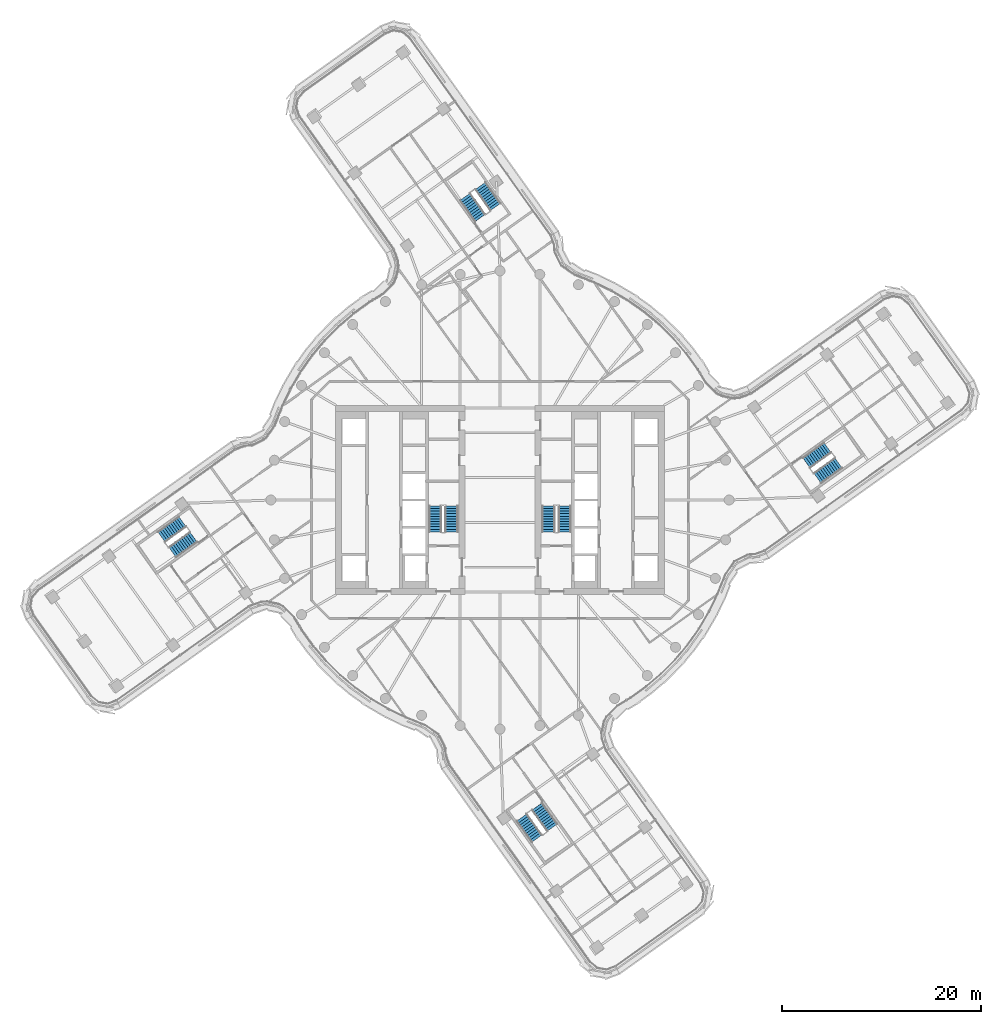
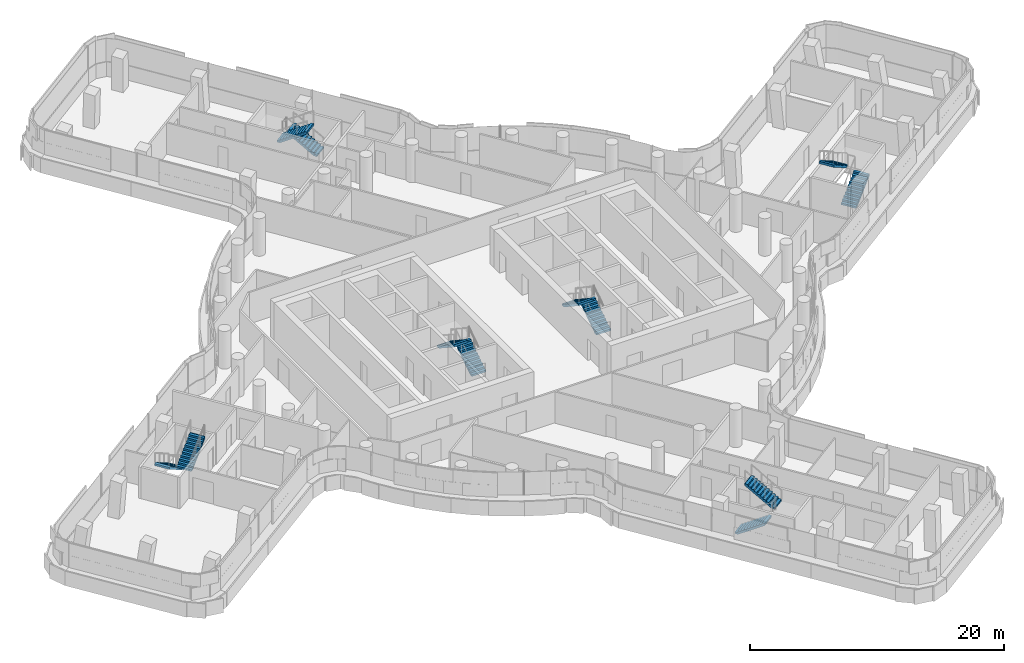
# One storey, part 24 of 31: 12 stair flights, 6 elements without a shape of their own.
"""IFC4 building model written with IfcOpenShell, lengths in metres."""

from ifc_helpers import new_model, si_unit, direction, frame, origin, place, context, subcontext, project, spatial, polyline, outline, extrude, material, type_object, element, aggregate, save


model = new_model("IFC4")

# Units and contexts
model_context = context("Model", 3, precision=1e-05, world=origin(), true_north=direction((0.0, 1.0)))
body_context = subcontext(model_context, "Body", "Model", "MODEL_VIEW")
ifc_project = project(units=[si_unit("LENGTHUNIT", "METRE"), si_unit("AREAUNIT", "SQUARE_METRE"), si_unit("VOLUMEUNIT", "CUBIC_METRE"), si_unit("PLANEANGLEUNIT", "RADIAN"), si_unit("MASSUNIT", "GRAM", prefix="KILO")], contexts=[model_context])

# Site, building, storey
site_placement = place(None, origin())
site = spatial("IfcSite", under=ifc_project, at=site_placement, CompositionType="ELEMENT")
building_placement = place(site_placement, origin())
building = spatial("IfcBuilding", under=site, at=building_placement, Name="Tamarind Cross Interchange Tower", CompositionType="ELEMENT")
storey_placement = place(building_placement, frame((0.0, 0.0, 163.0)))
storey = spatial("IfcBuildingStorey", under=building, at=storey_placement, Name="L40", CompositionType="ELEMENT", Elevation=163.0)

# Stair, stair flights
ifc_material_1 = material(Name="Exit stair")
stair_type = type_object("IfcStairType", Name="Exit stair", PredefinedType="HALF_TURN_STAIR", material=ifc_material_1)
stair_1_placement = place(storey_placement, origin())
stair_1 = element("IfcStair", 1, at=stair_1_placement, inside=storey, type_object=stair_type, Name="L40 exit stair ST1", PredefinedType="HALF_TURN_STAIR")
ifc_material_2 = material(Name="Exit stair flight")
stair_flight_type = type_object("IfcStairFlightType", Name="Exit stair flight", PredefinedType="STRAIGHT", material=ifc_material_2)
stair_flight_1_placement = place(storey_placement, frame((-4.85009765625, -3.199951171875, 0.0), z_axis=(0.0, 0.0, 1.0), x_axis=(0.0, 1.0, 0.0)))
stair_flight_1 = element("IfcStairFlight", 2, at=stair_flight_1_placement, type_object=stair_flight_type, Name="ST1 flight 1", NumberOfRisers=11, NumberOfTreads=10, PredefinedType="STRAIGHT", RiserHeight=0.170454545, TreadLength=0.26, context=body_context, shape_type="SweptSolid", body=[
    extrude(outline(polyline([(0.0, 0.0), (0.0, 0.17041015625), (0.260009765625, 0.17041015625), (0.260009765625, 0.3408203125), (0.52001953125, 0.3408203125), (0.52001953125, 0.511474609375), (0.780029296875, 0.511474609375), (0.780029296875, 0.681884765625), (1.0400390625, 0.681884765625), (1.0400390625, 0.852294921875), (1.300048828125, 0.852294921875), (1.300048828125, 1.022705078125), (1.56005859375, 1.022705078125), (1.56005859375, 1.193115234375), (1.820068359375, 1.193115234375), (1.820068359375, 1.363525390625), (2.080078125, 1.363525390625), (2.080078125, 1.5341796875), (2.340087890625, 1.5341796875), (2.340087890625, 1.70458984375), (2.60009765625, 1.70458984375), (2.60009765625, 1.875), (2.60009765625, 1.525390625), (0.2734375, 0.0), (0.0, 0.0)])), frame((0.0, 0.64990234375, 0.0), z_axis=(0.0, -1.0, 0.0), x_axis=(1.0, 0.0, 0.0)), (0.0, 0.0, 1.0), 1.300048828125),
])
stair_flight_2_placement = place(storey_placement, frame((-6.5, -0.60009765625, 1.875), z_axis=(0.0, 0.0, 1.0), x_axis=(0.0, -1.0, 0.0)))
stair_flight_2 = element("IfcStairFlight", 3, at=stair_flight_2_placement, type_object=stair_flight_type, Name="ST1 flight 2", NumberOfRisers=11, NumberOfTreads=10, PredefinedType="STRAIGHT", RiserHeight=0.170454545, TreadLength=0.26, context=body_context, shape_type="SweptSolid", body=[
    extrude(outline(polyline([(0.0, 0.0), (0.0, 0.17041015625), (0.260009765625, 0.17041015625), (0.260009765625, 0.3408203125), (0.52001953125, 0.3408203125), (0.52001953125, 0.511474609375), (0.780029296875, 0.511474609375), (0.780029296875, 0.681884765625), (1.0400390625, 0.681884765625), (1.0400390625, 0.852294921875), (1.300048828125, 0.852294921875), (1.300048828125, 1.022705078125), (1.56005859375, 1.022705078125), (1.56005859375, 1.193115234375), (1.820068359375, 1.193115234375), (1.820068359375, 1.363525390625), (2.080078125, 1.363525390625), (2.080078125, 1.5341796875), (2.340087890625, 1.5341796875), (2.340087890625, 1.70458984375), (2.60009765625, 1.70458984375), (2.60009765625, 1.7548828125), (2.612060546875, 1.7548828125), (2.612060546875, 1.533203125), (0.2734375, 0.0), (0.0, 0.0)])), frame((0.0, 0.64990234375, 0.0), z_axis=(0.0, -1.0, 0.0), x_axis=(1.0, 0.0, 0.0)), (0.0, 0.0, 1.0), 1.300048828125),
])
aggregate(stair_1, [stair_flight_1, stair_flight_2])

stair_2_placement = place(storey_placement, origin())
stair_2 = element("IfcStair", 4, at=stair_2_placement, inside=storey, type_object=stair_type, Name="L40 exit stair ST2", PredefinedType="HALF_TURN_STAIR")
stair_flight_3_placement = place(storey_placement, frame((6.5, -3.199951171875, 0.0), z_axis=(0.0, 0.0, 1.0), x_axis=(0.0, 1.0, 0.0)))
stair_flight_3 = element("IfcStairFlight", 5, at=stair_flight_3_placement, type_object=stair_flight_type, Name="ST2 flight 1", NumberOfRisers=11, NumberOfTreads=10, PredefinedType="STRAIGHT", RiserHeight=0.170454545, TreadLength=0.26, context=body_context, shape_type="SweptSolid", body=[
    extrude(outline(polyline([(0.0, 0.0), (0.0, 0.17041015625), (0.260009765625, 0.17041015625), (0.260009765625, 0.3408203125), (0.52001953125, 0.3408203125), (0.52001953125, 0.511474609375), (0.780029296875, 0.511474609375), (0.780029296875, 0.681884765625), (1.0400390625, 0.681884765625), (1.0400390625, 0.852294921875), (1.300048828125, 0.852294921875), (1.300048828125, 1.022705078125), (1.56005859375, 1.022705078125), (1.56005859375, 1.193115234375), (1.820068359375, 1.193115234375), (1.820068359375, 1.363525390625), (2.080078125, 1.363525390625), (2.080078125, 1.5341796875), (2.340087890625, 1.5341796875), (2.340087890625, 1.70458984375), (2.60009765625, 1.70458984375), (2.60009765625, 1.875), (2.60009765625, 1.525390625), (0.2734375, 0.0), (0.0, 0.0)])), frame((0.0, 0.64990234375, 0.0), z_axis=(0.0, -1.0, 0.0), x_axis=(1.0, 0.0, 0.0)), (0.0, 0.0, 1.0), 1.300048828125),
])
stair_flight_4_placement = place(storey_placement, frame((4.85009765625, -0.60009765625, 1.875), z_axis=(0.0, 0.0, 1.0), x_axis=(0.0, -1.0, 0.0)))
stair_flight_4 = element("IfcStairFlight", 6, at=stair_flight_4_placement, type_object=stair_flight_type, Name="ST2 flight 2", NumberOfRisers=11, NumberOfTreads=10, PredefinedType="STRAIGHT", RiserHeight=0.170454545, TreadLength=0.26, context=body_context, shape_type="SweptSolid", body=[
    extrude(outline(polyline([(0.0, 0.0), (0.0, 0.17041015625), (0.260009765625, 0.17041015625), (0.260009765625, 0.3408203125), (0.52001953125, 0.3408203125), (0.52001953125, 0.511474609375), (0.780029296875, 0.511474609375), (0.780029296875, 0.681884765625), (1.0400390625, 0.681884765625), (1.0400390625, 0.852294921875), (1.300048828125, 0.852294921875), (1.300048828125, 1.022705078125), (1.56005859375, 1.022705078125), (1.56005859375, 1.193115234375), (1.820068359375, 1.193115234375), (1.820068359375, 1.363525390625), (2.080078125, 1.363525390625), (2.080078125, 1.5341796875), (2.340087890625, 1.5341796875), (2.340087890625, 1.70458984375), (2.60009765625, 1.70458984375), (2.60009765625, 1.7548828125), (2.612060546875, 1.7548828125), (2.612060546875, 1.533203125), (0.2734375, 0.0), (0.0, 0.0)])), frame((0.0, 0.64990234375, 0.0), z_axis=(0.0, -1.0, 0.0), x_axis=(1.0, 0.0, 0.0)), (0.0, 0.0, 1.0), 1.300048828125),
])
aggregate(stair_2, [stair_flight_3, stair_flight_4])

stair_3_placement = place(storey_placement, origin())
stair_3 = element("IfcStair", 7, at=stair_3_placement, inside=storey, type_object=stair_type, Name="L40 exit stair ST3", PredefinedType="HALF_TURN_STAIR")
stair_flight_5_placement = place(storey_placement, frame((31.8642578125, 2.188720703125, 0.0), z_axis=(0.0, 0.0, 1.0), x_axis=(0.81388031548, 0.581032556811, 0.0)))
stair_flight_5 = element("IfcStairFlight", 8, at=stair_flight_5_placement, type_object=stair_flight_type, Name="ST3 flight 1", NumberOfRisers=11, NumberOfTreads=10, PredefinedType="STRAIGHT", RiserHeight=0.170454545, TreadLength=0.26, context=body_context, shape_type="SweptSolid", body=[
    extrude(outline(polyline([(0.0, 0.0), (0.0, 0.17041015625), (0.260009765625, 0.17041015625), (0.260009765625, 0.3408203125), (0.52001953125, 0.3408203125), (0.52001953125, 0.511474609375), (0.780029296875, 0.511474609375), (0.780029296875, 0.681884765625), (1.0400390625, 0.681884765625), (1.0400390625, 0.852294921875), (1.300048828125, 0.852294921875), (1.300048828125, 1.022705078125), (1.56005859375, 1.022705078125), (1.56005859375, 1.193115234375), (1.820068359375, 1.193115234375), (1.820068359375, 1.363525390625), (2.080078125, 1.363525390625), (2.080078125, 1.5341796875), (2.340087890625, 1.5341796875), (2.340087890625, 1.70458984375), (2.60009765625, 1.70458984375), (2.60009765625, 1.875), (2.60009765625, 1.525390625), (0.2734375, 0.0), (0.0, 0.0)])), frame((0.0, 0.64990234375, 0.0), z_axis=(0.0, -1.0, 0.0), x_axis=(1.0, 0.0, 0.0)), (0.0, 0.0, 1.0), 1.300048828125),
])
stair_flight_6_placement = place(storey_placement, frame((32.876220703125, 5.245849609375, 1.875), z_axis=(0.0, 0.0, 1.0), x_axis=(-0.81388031548, -0.581032556811, 0.0)))
stair_flight_6 = element("IfcStairFlight", 9, at=stair_flight_6_placement, type_object=stair_flight_type, Name="ST3 flight 2", NumberOfRisers=11, NumberOfTreads=10, PredefinedType="STRAIGHT", RiserHeight=0.170454545, TreadLength=0.26, context=body_context, shape_type="SweptSolid", body=[
    extrude(outline(polyline([(0.0, 0.0), (0.0, 0.17041015625), (0.260009765625, 0.17041015625), (0.260009765625, 0.3408203125), (0.52001953125, 0.3408203125), (0.52001953125, 0.511474609375), (0.780029296875, 0.511474609375), (0.780029296875, 0.681884765625), (1.0400390625, 0.681884765625), (1.0400390625, 0.852294921875), (1.300048828125, 0.852294921875), (1.300048828125, 1.022705078125), (1.56005859375, 1.022705078125), (1.56005859375, 1.193115234375), (1.820068359375, 1.193115234375), (1.820068359375, 1.363525390625), (2.080078125, 1.363525390625), (2.080078125, 1.5341796875), (2.340087890625, 1.5341796875), (2.340087890625, 1.70458984375), (2.60009765625, 1.70458984375), (2.60009765625, 1.7548828125), (2.612060546875, 1.7548828125), (2.612060546875, 1.533203125), (0.2734375, 0.0), (0.0, 0.0)])), frame((0.0, 0.64990234375, 0.0), z_axis=(0.0, -1.0, 0.0), x_axis=(1.0, 0.0, 0.0)), (0.0, 0.0, 1.0), 1.300048828125),
])
aggregate(stair_3, [stair_flight_5, stair_flight_6])

stair_4_placement = place(storey_placement, origin())
stair_4 = element("IfcStair", 10, at=stair_4_placement, inside=storey, type_object=stair_type, Name="L40 exit stair ST4", PredefinedType="HALF_TURN_STAIR")
stair_flight_7_placement = place(storey_placement, frame((-0.445556640625, 29.422607421875, 0.0), z_axis=(0.0, 0.0, 1.0), x_axis=(-0.581032556811, 0.81388031548, 0.0)))
stair_flight_7 = element("IfcStairFlight", 11, at=stair_flight_7_placement, type_object=stair_flight_type, Name="ST4 flight 1", NumberOfRisers=11, NumberOfTreads=10, PredefinedType="STRAIGHT", RiserHeight=0.170454545, TreadLength=0.26, context=body_context, shape_type="SweptSolid", body=[
    extrude(outline(polyline([(0.0, 0.0), (0.0, 0.17041015625), (0.260009765625, 0.17041015625), (0.260009765625, 0.3408203125), (0.52001953125, 0.3408203125), (0.52001953125, 0.511474609375), (0.780029296875, 0.511474609375), (0.780029296875, 0.681884765625), (1.0400390625, 0.681884765625), (1.0400390625, 0.852294921875), (1.300048828125, 0.852294921875), (1.300048828125, 1.022705078125), (1.56005859375, 1.022705078125), (1.56005859375, 1.193115234375), (1.820068359375, 1.193115234375), (1.820068359375, 1.363525390625), (2.080078125, 1.363525390625), (2.080078125, 1.5341796875), (2.340087890625, 1.5341796875), (2.340087890625, 1.70458984375), (2.60009765625, 1.70458984375), (2.60009765625, 1.875), (2.60009765625, 1.525390625), (0.2734375, 0.0), (0.0, 0.0)])), frame((0.0, 0.64990234375, 0.0), z_axis=(0.0, -1.0, 0.0), x_axis=(1.0, 0.0, 0.0)), (0.0, 0.0, 1.0), 1.300048828125),
])
stair_flight_8_placement = place(storey_placement, frame((-3.502685546875, 30.4345703125, 1.875), z_axis=(0.0, 0.0, 1.0), x_axis=(0.581032556811, -0.81388031548, 0.0)))
stair_flight_8 = element("IfcStairFlight", 12, at=stair_flight_8_placement, type_object=stair_flight_type, Name="ST4 flight 2", NumberOfRisers=11, NumberOfTreads=10, PredefinedType="STRAIGHT", RiserHeight=0.170454545, TreadLength=0.26, context=body_context, shape_type="SweptSolid", body=[
    extrude(outline(polyline([(0.0, 0.0), (0.0, 0.17041015625), (0.260009765625, 0.17041015625), (0.260009765625, 0.3408203125), (0.52001953125, 0.3408203125), (0.52001953125, 0.511474609375), (0.780029296875, 0.511474609375), (0.780029296875, 0.681884765625), (1.0400390625, 0.681884765625), (1.0400390625, 0.852294921875), (1.300048828125, 0.852294921875), (1.300048828125, 1.022705078125), (1.56005859375, 1.022705078125), (1.56005859375, 1.193115234375), (1.820068359375, 1.193115234375), (1.820068359375, 1.363525390625), (2.080078125, 1.363525390625), (2.080078125, 1.5341796875), (2.340087890625, 1.5341796875), (2.340087890625, 1.70458984375), (2.60009765625, 1.70458984375), (2.60009765625, 1.7548828125), (2.612060546875, 1.7548828125), (2.612060546875, 1.533203125), (0.2734375, 0.0), (0.0, 0.0)])), frame((0.0, 0.64990234375, 0.0), z_axis=(0.0, -1.0, 0.0), x_axis=(1.0, 0.0, 0.0)), (0.0, 0.0, 1.0), 1.300048828125),
])
aggregate(stair_4, [stair_flight_7, stair_flight_8])

stair_5_placement = place(storey_placement, origin())
stair_5 = element("IfcStair", 13, at=stair_5_placement, inside=storey, type_object=stair_type, Name="L40 exit stair ST5", PredefinedType="HALF_TURN_STAIR")
stair_flight_9_placement = place(storey_placement, frame((-31.8642578125, -2.188720703125, 0.0), z_axis=(0.0, 0.0, 1.0), x_axis=(-0.81388031548, -0.581032556811, 0.0)))
stair_flight_9 = element("IfcStairFlight", 14, at=stair_flight_9_placement, type_object=stair_flight_type, Name="ST5 flight 1", NumberOfRisers=11, NumberOfTreads=10, PredefinedType="STRAIGHT", RiserHeight=0.170454545, TreadLength=0.26, context=body_context, shape_type="SweptSolid", body=[
    extrude(outline(polyline([(0.0, 0.0), (0.0, 0.17041015625), (0.260009765625, 0.17041015625), (0.260009765625, 0.3408203125), (0.52001953125, 0.3408203125), (0.52001953125, 0.511474609375), (0.780029296875, 0.511474609375), (0.780029296875, 0.681884765625), (1.0400390625, 0.681884765625), (1.0400390625, 0.852294921875), (1.300048828125, 0.852294921875), (1.300048828125, 1.022705078125), (1.56005859375, 1.022705078125), (1.56005859375, 1.193115234375), (1.820068359375, 1.193115234375), (1.820068359375, 1.363525390625), (2.080078125, 1.363525390625), (2.080078125, 1.5341796875), (2.340087890625, 1.5341796875), (2.340087890625, 1.70458984375), (2.60009765625, 1.70458984375), (2.60009765625, 1.875), (2.60009765625, 1.525390625), (0.2734375, 0.0), (0.0, 0.0)])), frame((0.0, 0.64990234375, 0.0), z_axis=(0.0, -1.0, 0.0), x_axis=(1.0, 0.0, 0.0)), (0.0, 0.0, 1.0), 1.300048828125),
])
stair_flight_10_placement = place(storey_placement, frame((-32.876220703125, -5.245849609375, 1.875), z_axis=(0.0, 0.0, 1.0), x_axis=(0.81388031548, 0.581032556811, 0.0)))
stair_flight_10 = element("IfcStairFlight", 15, at=stair_flight_10_placement, type_object=stair_flight_type, Name="ST5 flight 2", NumberOfRisers=11, NumberOfTreads=10, PredefinedType="STRAIGHT", RiserHeight=0.170454545, TreadLength=0.26, context=body_context, shape_type="SweptSolid", body=[
    extrude(outline(polyline([(0.0, 0.0), (0.0, 0.17041015625), (0.260009765625, 0.17041015625), (0.260009765625, 0.3408203125), (0.52001953125, 0.3408203125), (0.52001953125, 0.511474609375), (0.780029296875, 0.511474609375), (0.780029296875, 0.681884765625), (1.0400390625, 0.681884765625), (1.0400390625, 0.852294921875), (1.300048828125, 0.852294921875), (1.300048828125, 1.022705078125), (1.56005859375, 1.022705078125), (1.56005859375, 1.193115234375), (1.820068359375, 1.193115234375), (1.820068359375, 1.363525390625), (2.080078125, 1.363525390625), (2.080078125, 1.5341796875), (2.340087890625, 1.5341796875), (2.340087890625, 1.70458984375), (2.60009765625, 1.70458984375), (2.60009765625, 1.7548828125), (2.612060546875, 1.7548828125), (2.612060546875, 1.533203125), (0.2734375, 0.0), (0.0, 0.0)])), frame((0.0, 0.64990234375, 0.0), z_axis=(0.0, -1.0, 0.0), x_axis=(1.0, 0.0, 0.0)), (0.0, 0.0, 1.0), 1.300048828125),
])
aggregate(stair_5, [stair_flight_9, stair_flight_10])

stair_6_placement = place(storey_placement, origin())
stair_6 = element("IfcStair", 16, at=stair_6_placement, inside=storey, type_object=stair_type, Name="L40 exit stair ST6", PredefinedType="HALF_TURN_STAIR")
stair_flight_11_placement = place(storey_placement, frame((2.188720703125, -31.8642578125, 0.0), z_axis=(0.0, 0.0, 1.0), x_axis=(0.581032556811, -0.81388031548, 0.0)))
stair_flight_11 = element("IfcStairFlight", 17, at=stair_flight_11_placement, type_object=stair_flight_type, Name="ST6 flight 1", NumberOfRisers=11, NumberOfTreads=10, PredefinedType="STRAIGHT", RiserHeight=0.170454545, TreadLength=0.26, context=body_context, shape_type="SweptSolid", body=[
    extrude(outline(polyline([(0.0, 0.0), (0.0, 0.17041015625), (0.260009765625, 0.17041015625), (0.260009765625, 0.3408203125), (0.52001953125, 0.3408203125), (0.52001953125, 0.511474609375), (0.780029296875, 0.511474609375), (0.780029296875, 0.681884765625), (1.0400390625, 0.681884765625), (1.0400390625, 0.852294921875), (1.300048828125, 0.852294921875), (1.300048828125, 1.022705078125), (1.56005859375, 1.022705078125), (1.56005859375, 1.193115234375), (1.820068359375, 1.193115234375), (1.820068359375, 1.363525390625), (2.080078125, 1.363525390625), (2.080078125, 1.5341796875), (2.340087890625, 1.5341796875), (2.340087890625, 1.70458984375), (2.60009765625, 1.70458984375), (2.60009765625, 1.875), (2.60009765625, 1.525390625), (0.2734375, 0.0), (0.0, 0.0)])), frame((0.0, 0.64990234375, 0.0), z_axis=(0.0, -1.0, 0.0), x_axis=(1.0, 0.0, 0.0)), (0.0, 0.0, 1.0), 1.300048828125),
])
stair_flight_12_placement = place(storey_placement, frame((5.245849609375, -32.876220703125, 1.875), z_axis=(0.0, 0.0, 1.0), x_axis=(-0.581032556811, 0.81388031548, 0.0)))
stair_flight_12 = element("IfcStairFlight", 18, at=stair_flight_12_placement, type_object=stair_flight_type, Name="ST6 flight 2", NumberOfRisers=11, NumberOfTreads=10, PredefinedType="STRAIGHT", RiserHeight=0.170454545, TreadLength=0.26, context=body_context, shape_type="SweptSolid", body=[
    extrude(outline(polyline([(0.0, 0.0), (0.0, 0.17041015625), (0.260009765625, 0.17041015625), (0.260009765625, 0.3408203125), (0.52001953125, 0.3408203125), (0.52001953125, 0.511474609375), (0.780029296875, 0.511474609375), (0.780029296875, 0.681884765625), (1.0400390625, 0.681884765625), (1.0400390625, 0.852294921875), (1.300048828125, 0.852294921875), (1.300048828125, 1.022705078125), (1.56005859375, 1.022705078125), (1.56005859375, 1.193115234375), (1.820068359375, 1.193115234375), (1.820068359375, 1.363525390625), (2.080078125, 1.363525390625), (2.080078125, 1.5341796875), (2.340087890625, 1.5341796875), (2.340087890625, 1.70458984375), (2.60009765625, 1.70458984375), (2.60009765625, 1.7548828125), (2.612060546875, 1.7548828125), (2.612060546875, 1.533203125), (0.2734375, 0.0), (0.0, 0.0)])), frame((0.0, 0.64990234375, 0.0), z_axis=(0.0, -1.0, 0.0), x_axis=(1.0, 0.0, 0.0)), (0.0, 0.0, 1.0), 1.300048828125),
])
aggregate(stair_6, [stair_flight_11, stair_flight_12])

save(model, "model.ifc")
